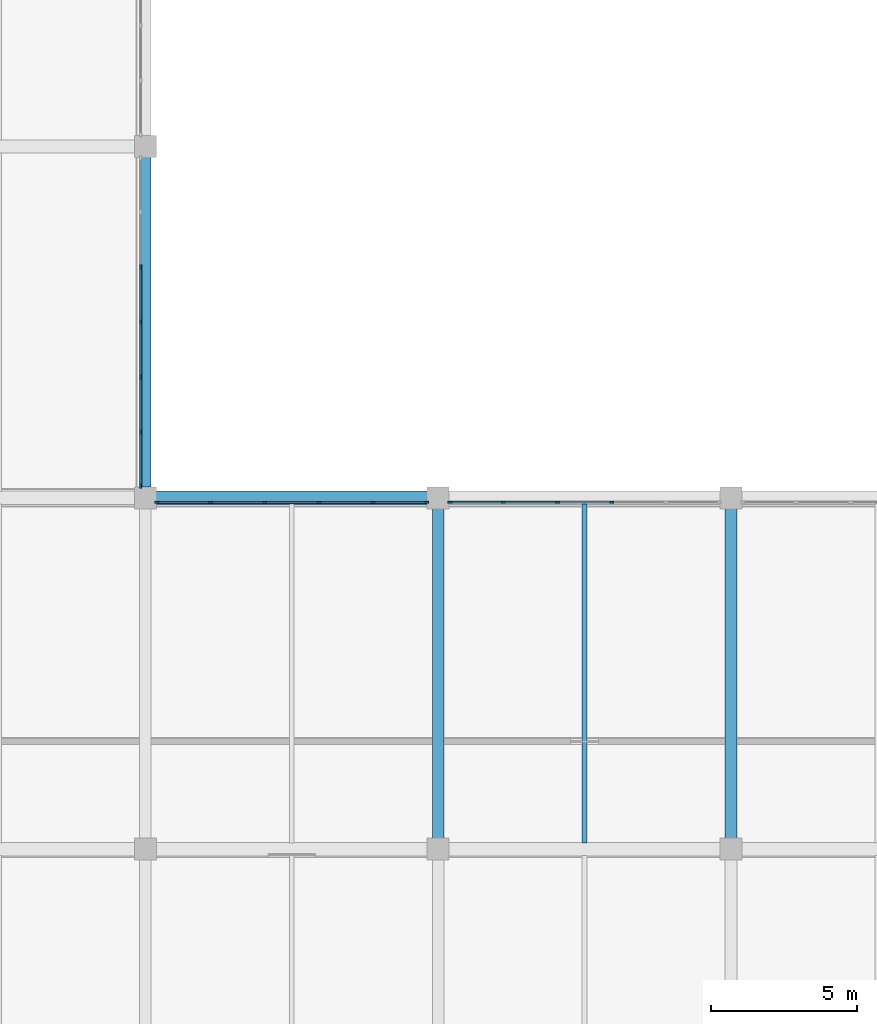
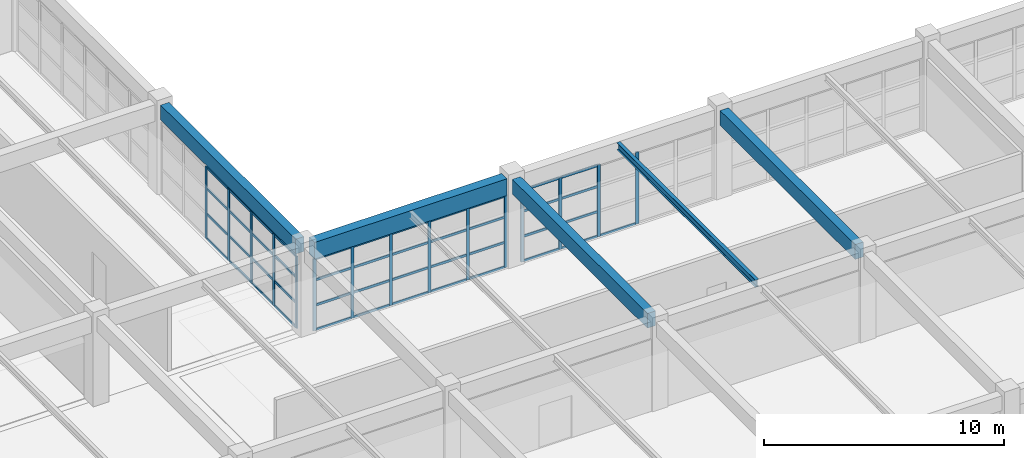
# One storey, part 50 of 109: 60 members, 5 beams, 3 elements without a shape of their own.
"""IFC4 building model written with IfcOpenShell, lengths in metres."""

from ifc_helpers import new_model, si_unit, direction, frame, origin, origin_2d, place, context, subcontext, project, spatial, rectangle, i_section, extrude, material, layer, layer_set, material_profile, profile_set, type_object, element, aggregate, save


model = new_model("IFC4")

# Units and contexts
model_context = context("Model", 3, precision=1e-05, world=origin(), true_north=direction((0.0, 1.0)))
body_context = subcontext(model_context, "Body", "Model", "MODEL_VIEW")
ifc_project = project(units=[si_unit("LENGTHUNIT", "METRE"), si_unit("AREAUNIT", "SQUARE_METRE"), si_unit("VOLUMEUNIT", "CUBIC_METRE"), si_unit("PLANEANGLEUNIT", "RADIAN"), si_unit("MASSUNIT", "GRAM", prefix="KILO")], contexts=[model_context])

# Site, building, storey
site_placement = place(None, origin())
site = spatial("IfcSite", under=ifc_project, at=site_placement, CompositionType="ELEMENT")
building_placement = place(site_placement, origin())
building = spatial("IfcBuilding", under=site, at=building_placement, Name="Kivolera Central Railway Station", CompositionType="ELEMENT")
storey_placement = place(building_placement, frame((0.0, 0.0, 9.60009765625)))
storey = spatial("IfcBuildingStorey", under=building, at=storey_placement, Name="L02", CompositionType="ELEMENT", Elevation=9.60009765625)

# Beams
ifc_material_1 = material(Name="Steel S355", Category="steel")
ifc_material_profile_1 = material_profile(ifc_material_1, i_section(OverallWidth=0.169921875, OverallDepth=0.360107421875, WebThickness=0.008056640625, FlangeThickness=0.0126953125, FilletRadius=0.01806640625, at=origin_2d()), Name="IPE 360")
ifc_profile_set_1 = profile_set([ifc_material_profile_1], Name="Steel S355")
beam_type_1 = type_object("IfcBeamType", Name="BM-JST-IPE360", PredefinedType="JOIST", material=ifc_profile_set_1)
beam_1_placement = place(storey_placement, frame((153.0, 66.217041015625, 4.327880859375), z_axis=(0.0, 1.0, 0.0), x_axis=(-1.0, 0.0, 0.0)))
element("IfcBeam", 1, at=beam_1_placement, inside=storey, type_object=beam_type_1, Name="L02 Floor Joist 15-16/F-G", PredefinedType="JOIST", context=body_context, shape_type="SweptSolid", body=[
    extrude(i_section(OverallWidth=0.169921875, OverallDepth=0.360107421875, WebThickness=0.008056640625, FlangeThickness=0.0126953125, FilletRadius=0.01806640625, at=origin_2d()), origin(), (0.0, 0.0, 1.0), 11.56591796875),
])
ifc_material_2 = material(Name="Concrete C40/50", Category="concrete")
ifc_material_profile_2 = material_profile(ifc_material_2, rectangle(XDim=0.39990234375, YDim=0.75, at=origin_2d()), Name="RC 400x750")
ifc_profile_set_2 = profile_set([ifc_material_profile_2], Name="Concrete C40/50")
beam_type_2 = type_object("IfcBeamType", Name="BM-RC-400x750", PredefinedType="BEAM", material=ifc_profile_set_2)
for number, where, z_axis, x_axis, name in (
    (2, (138.0, 78.366943359375, 4.14501953125), (0.0, 1.0, 0.0), (-1.0, 0.0, 0.0), "L02 Wing Y-Beam 14:G-H"),
    (3, (148.0, 66.366943359375, 4.14501953125), (0.0, 1.0, 0.0), (-1.0, 0.0, 0.0), "L02 Wing Y-Beam 15:F-G"),
    (4, (158.0, 66.366943359375, 4.14501953125), (0.0, 1.0, 0.0), (-1.0, 0.0, 0.0), "L02 Wing Y-Beam 16:F-G"),
):
    element("IfcBeam", number, at=place(storey_placement, frame(where, z_axis=z_axis, x_axis=x_axis)), inside=storey, type_object=beam_type_2, Name=name, PredefinedType="BEAM", context=body_context, shape_type="SweptSolid", body=[
        extrude(rectangle(XDim=0.39990234375, YDim=0.75, at=origin_2d()), origin(), (0.0, 0.0, 1.0), 11.26611328125),
    ])
ifc_material_profile_3 = material_profile(ifc_material_2, rectangle(XDim=0.449951171875, YDim=0.85009765625, at=origin_2d()), Name="RC 450x850")
ifc_profile_set_3 = profile_set([ifc_material_profile_3], Name="Concrete C40/50")
beam_type_3 = type_object("IfcBeamType", Name="BM-RC-450x850", PredefinedType="BEAM", material=ifc_profile_set_3)
beam_2_placement = place(storey_placement, frame((138.366943359375, 78.0, 4.094970703125), z_axis=(1.0, 0.0, 0.0), x_axis=(0.0, 1.0, 0.0)))
element("IfcBeam", 5, at=beam_2_placement, inside=storey, type_object=beam_type_3, Name="L02 Wing X-Beam G:14-15", PredefinedType="BEAM", context=body_context, shape_type="SweptSolid", body=[
    extrude(rectangle(XDim=0.449951171875, YDim=0.85009765625, at=origin_2d()), origin(), (0.0, 0.0, 1.0), 9.26611328125),
])

# Curtain wall, members
ifc_material_3 = material(Name="Anodised aluminium", Category="aluminium")
ifc_layer_1 = layer(ifc_material_3, 0.179931640625, Name="Anodised aluminium")
ifc_layer_set_1 = layer_set([ifc_layer_1], Name="Anodised aluminium")
curtain_wall_type_1 = type_object("IfcCurtainWallType", Name="CW-SYS-28", PredefinedType="NOTDEFINED", material=ifc_layer_set_1)
curtain_wall_1_placement = place(storey_placement, origin())
curtain_wall_1 = element("IfcCurtainWall", 6, at=curtain_wall_1_placement, inside=storey, type_object=curtain_wall_type_1, Name="L02 Curtain Wall CW-L02-CRTW-G", PredefinedType="NOTDEFINED")
ifc_material_profile_4 = material_profile(ifc_material_3, rectangle(XDim=0.06005859375, YDim=0.14990234375, at=origin_2d()), Name="ALU MULL 60x150")
ifc_profile_set_4 = profile_set([ifc_material_profile_4], Name="Anodised aluminium")
member_type_1 = type_object("IfcMemberType", Name="CWM-MUL-2", PredefinedType="MULLION", material=ifc_profile_set_4)
member_1_placement = place(storey_placement, frame((137.846923828125, 85.876708984375, -0.005126953125), z_axis=(0.0, 0.0, 1.0), x_axis=(1.0, 0.0, 0.0)))
member_1 = element("IfcMember", 7, at=member_1_placement, type_object=member_type_1, Name="CW-28 mullion 3", PredefinedType="MULLION", context=body_context, shape_type="SweptSolid", body=[
    extrude(rectangle(XDim=0.06005859375, YDim=0.14990234375, at=origin_2d()), origin(), (0.0, 0.0, 1.0), 3.6630859375),
])
member_2_placement = place(storey_placement, frame((137.846923828125, 84.0, -0.005126953125), z_axis=(0.0, 0.0, 1.0), x_axis=(1.0, 0.0, 0.0)))
member_2 = element("IfcMember", 8, at=member_2_placement, type_object=member_type_1, Name="CW-28 mullion 4", PredefinedType="MULLION", context=body_context, shape_type="SweptSolid", body=[
    extrude(rectangle(XDim=0.06005859375, YDim=0.14990234375, at=origin_2d()), origin(), (0.0, 0.0, 1.0), 3.6630859375),
])
member_3_placement = place(storey_placement, frame((137.846923828125, 82.123291015625, -0.005126953125), z_axis=(0.0, 0.0, 1.0), x_axis=(1.0, 0.0, 0.0)))
member_3 = element("IfcMember", 9, at=member_3_placement, type_object=member_type_1, Name="CW-28 mullion 5", PredefinedType="MULLION", context=body_context, shape_type="SweptSolid", body=[
    extrude(rectangle(XDim=0.06005859375, YDim=0.14990234375, at=origin_2d()), origin(), (0.0, 0.0, 1.0), 3.6630859375),
])
member_4_placement = place(storey_placement, frame((137.846923828125, 80.24658203125, -0.005126953125), z_axis=(0.0, 0.0, 1.0), x_axis=(1.0, 0.0, 0.0)))
member_4 = element("IfcMember", 10, at=member_4_placement, type_object=member_type_1, Name="CW-28 mullion 6", PredefinedType="MULLION", context=body_context, shape_type="SweptSolid", body=[
    extrude(rectangle(XDim=0.06005859375, YDim=0.14990234375, at=origin_2d()), origin(), (0.0, 0.0, 1.0), 3.6630859375),
])
member_5_placement = place(storey_placement, frame((137.846923828125, 78.39990234375, -0.005126953125), z_axis=(0.0, 0.0, 1.0), x_axis=(1.0, 0.0, 0.0)))
member_5 = element("IfcMember", 11, at=member_5_placement, type_object=member_type_1, Name="CW-28 mullion 7", PredefinedType="MULLION", context=body_context, shape_type="SweptSolid", body=[
    extrude(rectangle(XDim=0.06005859375, YDim=0.14990234375, at=origin_2d()), origin(), (0.0, 0.0, 1.0), 3.6630859375),
])

ifc_layer_2 = layer(ifc_material_3, 0.179931640625, Name="Anodised aluminium")
ifc_layer_set_2 = layer_set([ifc_layer_2], Name="Anodised aluminium")
curtain_wall_type_2 = type_object("IfcCurtainWallType", Name="CW-SYS-27", PredefinedType="NOTDEFINED", material=ifc_layer_set_2)
curtain_wall_2_placement = place(storey_placement, origin())
curtain_wall_2 = element("IfcCurtainWall", 12, at=curtain_wall_2_placement, inside=storey, type_object=curtain_wall_type_2, Name="L02 Curtain Wall CW-L02-CRTS-138", PredefinedType="NOTDEFINED")
member_6_placement = place(storey_placement, frame((138.39990234375, 77.846923828125, -0.005126953125), z_axis=(0.0, 0.0, 1.0), x_axis=(0.0, 1.0, 0.0)))
member_6 = element("IfcMember", 13, at=member_6_placement, type_object=member_type_1, Name="CW-27 mullion 1", PredefinedType="MULLION", context=body_context, shape_type="SweptSolid", body=[
    extrude(rectangle(XDim=0.06005859375, YDim=0.14990234375, at=origin_2d()), origin(), (0.0, 0.0, 1.0), 3.6630859375),
])
member_7_placement = place(storey_placement, frame((140.221923828125, 77.846923828125, -0.005126953125), z_axis=(0.0, 0.0, 1.0), x_axis=(0.0, 1.0, 0.0)))
member_7 = element("IfcMember", 14, at=member_7_placement, type_object=member_type_1, Name="CW-27 mullion 2", PredefinedType="MULLION", context=body_context, shape_type="SweptSolid", body=[
    extrude(rectangle(XDim=0.06005859375, YDim=0.14990234375, at=origin_2d()), origin(), (0.0, 0.0, 1.0), 3.6630859375),
])
member_8_placement = place(storey_placement, frame((142.073974609375, 77.846923828125, -0.005126953125), z_axis=(0.0, 0.0, 1.0), x_axis=(0.0, 1.0, 0.0)))
member_8 = element("IfcMember", 15, at=member_8_placement, type_object=member_type_1, Name="CW-27 mullion 3", PredefinedType="MULLION", context=body_context, shape_type="SweptSolid", body=[
    extrude(rectangle(XDim=0.06005859375, YDim=0.14990234375, at=origin_2d()), origin(), (0.0, 0.0, 1.0), 3.6630859375),
])
member_9_placement = place(storey_placement, frame((143.926025390625, 77.846923828125, -0.005126953125), z_axis=(0.0, 0.0, 1.0), x_axis=(0.0, 1.0, 0.0)))
member_9 = element("IfcMember", 16, at=member_9_placement, type_object=member_type_1, Name="CW-27 mullion 4", PredefinedType="MULLION", context=body_context, shape_type="SweptSolid", body=[
    extrude(rectangle(XDim=0.06005859375, YDim=0.14990234375, at=origin_2d()), origin(), (0.0, 0.0, 1.0), 3.6630859375),
])
member_10_placement = place(storey_placement, frame((145.778076171875, 77.846923828125, -0.005126953125), z_axis=(0.0, 0.0, 1.0), x_axis=(0.0, 1.0, 0.0)))
member_10 = element("IfcMember", 17, at=member_10_placement, type_object=member_type_1, Name="CW-27 mullion 5", PredefinedType="MULLION", context=body_context, shape_type="SweptSolid", body=[
    extrude(rectangle(XDim=0.06005859375, YDim=0.14990234375, at=origin_2d()), origin(), (0.0, 0.0, 1.0), 3.6630859375),
])
member_11_placement = place(storey_placement, frame((147.60009765625, 77.846923828125, -0.005126953125), z_axis=(0.0, 0.0, 1.0), x_axis=(0.0, 1.0, 0.0)))
member_11 = element("IfcMember", 18, at=member_11_placement, type_object=member_type_1, Name="CW-27 mullion 6", PredefinedType="MULLION", context=body_context, shape_type="SweptSolid", body=[
    extrude(rectangle(XDim=0.06005859375, YDim=0.14990234375, at=origin_2d()), origin(), (0.0, 0.0, 1.0), 3.6630859375),
])

curtain_wall_3_placement = place(storey_placement, origin())
curtain_wall_3 = element("IfcCurtainWall", 19, at=curtain_wall_3_placement, inside=storey, type_object=curtain_wall_type_2, Name="L02 Curtain Wall CW-L02-CRTS-148", PredefinedType="NOTDEFINED")
member_12_placement = place(storey_placement, frame((148.39990234375, 77.846923828125, -0.005126953125), z_axis=(0.0, 0.0, 1.0), x_axis=(0.0, 1.0, 0.0)))
member_12 = element("IfcMember", 20, at=member_12_placement, type_object=member_type_1, Name="CW-27 mullion 1", PredefinedType="MULLION", context=body_context, shape_type="SweptSolid", body=[
    extrude(rectangle(XDim=0.06005859375, YDim=0.14990234375, at=origin_2d()), origin(), (0.0, 0.0, 1.0), 3.6630859375),
])
member_13_placement = place(storey_placement, frame((150.221923828125, 77.846923828125, -0.005126953125), z_axis=(0.0, 0.0, 1.0), x_axis=(0.0, 1.0, 0.0)))
member_13 = element("IfcMember", 21, at=member_13_placement, type_object=member_type_1, Name="CW-27 mullion 2", PredefinedType="MULLION", context=body_context, shape_type="SweptSolid", body=[
    extrude(rectangle(XDim=0.06005859375, YDim=0.14990234375, at=origin_2d()), origin(), (0.0, 0.0, 1.0), 3.6630859375),
])
member_14_placement = place(storey_placement, frame((152.073974609375, 77.846923828125, -0.005126953125), z_axis=(0.0, 0.0, 1.0), x_axis=(0.0, 1.0, 0.0)))
member_14 = element("IfcMember", 22, at=member_14_placement, type_object=member_type_1, Name="CW-27 mullion 3", PredefinedType="MULLION", context=body_context, shape_type="SweptSolid", body=[
    extrude(rectangle(XDim=0.06005859375, YDim=0.14990234375, at=origin_2d()), origin(), (0.0, 0.0, 1.0), 3.6630859375),
])
member_15_placement = place(storey_placement, frame((153.926025390625, 77.846923828125, -0.005126953125), z_axis=(0.0, 0.0, 1.0), x_axis=(0.0, 1.0, 0.0)))
member_15 = element("IfcMember", 23, at=member_15_placement, type_object=member_type_1, Name="CW-27 mullion 4", PredefinedType="MULLION", context=body_context, shape_type="SweptSolid", body=[
    extrude(rectangle(XDim=0.06005859375, YDim=0.14990234375, at=origin_2d()), origin(), (0.0, 0.0, 1.0), 3.6630859375),
])

# Member
ifc_material_profile_5 = material_profile(ifc_material_3, rectangle(XDim=0.06005859375, YDim=0.1201171875, at=origin_2d()), Name="ALU TRAN 60x120")
ifc_profile_set_5 = profile_set([ifc_material_profile_5], Name="Anodised aluminium")
member_type_2 = type_object("IfcMemberType", Name="CWM-TRN-2", PredefinedType="USERDEFINED", material=ifc_profile_set_5)
member_16_placement = place(storey_placement, frame((137.846923828125, 85.8466796875, 0.02978515625), z_axis=(0.0, -1.0, 0.0), x_axis=(1.0, 0.0, 0.0)))
member_16 = element("IfcMember", 24, at=member_16_placement, type_object=member_type_2, Name="CW-28 transom 3.1", ObjectType="TRANSOM", PredefinedType="USERDEFINED", context=body_context, shape_type="SweptSolid", body=[
    extrude(rectangle(XDim=0.06005859375, YDim=0.1201171875, at=origin_2d()), origin(), (0.0, 0.0, 1.0), 1.816650390625),
])

member_17_placement = place(storey_placement, frame((137.846923828125, 85.8466796875, 1.2802734375), z_axis=(0.0, -1.0, 0.0), x_axis=(1.0, 0.0, 0.0)))
member_17 = element("IfcMember", 25, at=member_17_placement, type_object=member_type_2, Name="CW-28 transom 3.2", ObjectType="TRANSOM", PredefinedType="USERDEFINED", context=body_context, shape_type="SweptSolid", body=[
    extrude(rectangle(XDim=0.06005859375, YDim=0.1201171875, at=origin_2d()), origin(), (0.0, 0.0, 1.0), 1.816650390625),
])

member_18_placement = place(storey_placement, frame((137.846923828125, 85.8466796875, 2.560546875), z_axis=(0.0, -1.0, 0.0), x_axis=(1.0, 0.0, 0.0)))
member_18 = element("IfcMember", 26, at=member_18_placement, type_object=member_type_2, Name="CW-28 transom 3.3", ObjectType="TRANSOM", PredefinedType="USERDEFINED", context=body_context, shape_type="SweptSolid", body=[
    extrude(rectangle(XDim=0.06005859375, YDim=0.1201171875, at=origin_2d()), origin(), (0.0, 0.0, 1.0), 1.816650390625),
])

member_19_placement = place(storey_placement, frame((137.846923828125, 85.8466796875, 3.6279296875), z_axis=(0.0, -1.0, 0.0), x_axis=(1.0, 0.0, 0.0)))
member_19 = element("IfcMember", 27, at=member_19_placement, type_object=member_type_2, Name="CW-28 transom 3.4", ObjectType="TRANSOM", PredefinedType="USERDEFINED", context=body_context, shape_type="SweptSolid", body=[
    extrude(rectangle(XDim=0.06005859375, YDim=0.1201171875, at=origin_2d()), origin(), (0.0, 0.0, 1.0), 1.816650390625),
])

member_20_placement = place(storey_placement, frame((137.846923828125, 83.969970703125, 0.02978515625), z_axis=(0.0, -1.0, 0.0), x_axis=(1.0, 0.0, 0.0)))
member_20 = element("IfcMember", 28, at=member_20_placement, type_object=member_type_2, Name="CW-28 transom 4.1", ObjectType="TRANSOM", PredefinedType="USERDEFINED", context=body_context, shape_type="SweptSolid", body=[
    extrude(rectangle(XDim=0.06005859375, YDim=0.1201171875, at=origin_2d()), origin(), (0.0, 0.0, 1.0), 1.816650390625),
])

member_21_placement = place(storey_placement, frame((137.846923828125, 83.969970703125, 1.2802734375), z_axis=(0.0, -1.0, 0.0), x_axis=(1.0, 0.0, 0.0)))
member_21 = element("IfcMember", 29, at=member_21_placement, type_object=member_type_2, Name="CW-28 transom 4.2", ObjectType="TRANSOM", PredefinedType="USERDEFINED", context=body_context, shape_type="SweptSolid", body=[
    extrude(rectangle(XDim=0.06005859375, YDim=0.1201171875, at=origin_2d()), origin(), (0.0, 0.0, 1.0), 1.816650390625),
])

member_22_placement = place(storey_placement, frame((137.846923828125, 83.969970703125, 2.560546875), z_axis=(0.0, -1.0, 0.0), x_axis=(1.0, 0.0, 0.0)))
member_22 = element("IfcMember", 30, at=member_22_placement, type_object=member_type_2, Name="CW-28 transom 4.3", ObjectType="TRANSOM", PredefinedType="USERDEFINED", context=body_context, shape_type="SweptSolid", body=[
    extrude(rectangle(XDim=0.06005859375, YDim=0.1201171875, at=origin_2d()), origin(), (0.0, 0.0, 1.0), 1.816650390625),
])

member_23_placement = place(storey_placement, frame((137.846923828125, 83.969970703125, 3.6279296875), z_axis=(0.0, -1.0, 0.0), x_axis=(1.0, 0.0, 0.0)))
member_23 = element("IfcMember", 31, at=member_23_placement, type_object=member_type_2, Name="CW-28 transom 4.4", ObjectType="TRANSOM", PredefinedType="USERDEFINED", context=body_context, shape_type="SweptSolid", body=[
    extrude(rectangle(XDim=0.06005859375, YDim=0.1201171875, at=origin_2d()), origin(), (0.0, 0.0, 1.0), 1.816650390625),
])

member_24_placement = place(storey_placement, frame((137.846923828125, 82.09326171875, 0.02978515625), z_axis=(0.0, -1.0, 0.0), x_axis=(1.0, 0.0, 0.0)))
member_24 = element("IfcMember", 32, at=member_24_placement, type_object=member_type_2, Name="CW-28 transom 5.1", ObjectType="TRANSOM", PredefinedType="USERDEFINED", context=body_context, shape_type="SweptSolid", body=[
    extrude(rectangle(XDim=0.06005859375, YDim=0.1201171875, at=origin_2d()), origin(), (0.0, 0.0, 1.0), 1.816650390625),
])

member_25_placement = place(storey_placement, frame((137.846923828125, 82.09326171875, 1.2802734375), z_axis=(0.0, -1.0, 0.0), x_axis=(1.0, 0.0, 0.0)))
member_25 = element("IfcMember", 33, at=member_25_placement, type_object=member_type_2, Name="CW-28 transom 5.2", ObjectType="TRANSOM", PredefinedType="USERDEFINED", context=body_context, shape_type="SweptSolid", body=[
    extrude(rectangle(XDim=0.06005859375, YDim=0.1201171875, at=origin_2d()), origin(), (0.0, 0.0, 1.0), 1.816650390625),
])

member_26_placement = place(storey_placement, frame((137.846923828125, 82.09326171875, 2.560546875), z_axis=(0.0, -1.0, 0.0), x_axis=(1.0, 0.0, 0.0)))
member_26 = element("IfcMember", 34, at=member_26_placement, type_object=member_type_2, Name="CW-28 transom 5.3", ObjectType="TRANSOM", PredefinedType="USERDEFINED", context=body_context, shape_type="SweptSolid", body=[
    extrude(rectangle(XDim=0.06005859375, YDim=0.1201171875, at=origin_2d()), origin(), (0.0, 0.0, 1.0), 1.816650390625),
])

member_27_placement = place(storey_placement, frame((137.846923828125, 82.09326171875, 3.6279296875), z_axis=(0.0, -1.0, 0.0), x_axis=(1.0, 0.0, 0.0)))
member_27 = element("IfcMember", 35, at=member_27_placement, type_object=member_type_2, Name="CW-28 transom 5.4", ObjectType="TRANSOM", PredefinedType="USERDEFINED", context=body_context, shape_type="SweptSolid", body=[
    extrude(rectangle(XDim=0.06005859375, YDim=0.1201171875, at=origin_2d()), origin(), (0.0, 0.0, 1.0), 1.816650390625),
])

member_28_placement = place(storey_placement, frame((137.846923828125, 80.216552734375, 0.02978515625), z_axis=(0.0, -1.0, 0.0), x_axis=(1.0, 0.0, 0.0)))
member_28 = element("IfcMember", 36, at=member_28_placement, type_object=member_type_2, Name="CW-28 transom 6.1", ObjectType="TRANSOM", PredefinedType="USERDEFINED", context=body_context, shape_type="SweptSolid", body=[
    extrude(rectangle(XDim=0.06005859375, YDim=0.1201171875, at=origin_2d()), origin(), (0.0, 0.0, 1.0), 1.78662109375),
])

member_29_placement = place(storey_placement, frame((137.846923828125, 80.216552734375, 1.2802734375), z_axis=(0.0, -1.0, 0.0), x_axis=(1.0, 0.0, 0.0)))
member_29 = element("IfcMember", 37, at=member_29_placement, type_object=member_type_2, Name="CW-28 transom 6.2", ObjectType="TRANSOM", PredefinedType="USERDEFINED", context=body_context, shape_type="SweptSolid", body=[
    extrude(rectangle(XDim=0.06005859375, YDim=0.1201171875, at=origin_2d()), origin(), (0.0, 0.0, 1.0), 1.78662109375),
])

member_30_placement = place(storey_placement, frame((137.846923828125, 80.216552734375, 2.560546875), z_axis=(0.0, -1.0, 0.0), x_axis=(1.0, 0.0, 0.0)))
member_30 = element("IfcMember", 38, at=member_30_placement, type_object=member_type_2, Name="CW-28 transom 6.3", ObjectType="TRANSOM", PredefinedType="USERDEFINED", context=body_context, shape_type="SweptSolid", body=[
    extrude(rectangle(XDim=0.06005859375, YDim=0.1201171875, at=origin_2d()), origin(), (0.0, 0.0, 1.0), 1.78662109375),
])

member_31_placement = place(storey_placement, frame((137.846923828125, 80.216552734375, 3.6279296875), z_axis=(0.0, -1.0, 0.0), x_axis=(1.0, 0.0, 0.0)))
member_31 = element("IfcMember", 39, at=member_31_placement, type_object=member_type_2, Name="CW-28 transom 6.4", ObjectType="TRANSOM", PredefinedType="USERDEFINED", context=body_context, shape_type="SweptSolid", body=[
    extrude(rectangle(XDim=0.06005859375, YDim=0.1201171875, at=origin_2d()), origin(), (0.0, 0.0, 1.0), 1.78662109375),
])

aggregate(curtain_wall_1, [member_1, member_2, member_3, member_4, member_5, member_16, member_17, member_18, member_19, member_20, member_21, member_22, member_23, member_24, member_25, member_26, member_27, member_28, member_29, member_30, member_31])

member_32_placement = place(storey_placement, frame((138.429931640625, 77.846923828125, 0.02978515625), z_axis=(1.0, 0.0, 0.0), x_axis=(0.0, 1.0, 0.0)))
member_32 = element("IfcMember", 40, at=member_32_placement, type_object=member_type_2, Name="CW-27 transom 1.1", ObjectType="TRANSOM", PredefinedType="USERDEFINED", context=body_context, shape_type="SweptSolid", body=[
    extrude(rectangle(XDim=0.06005859375, YDim=0.1201171875, at=origin_2d()), origin(), (0.0, 0.0, 1.0), 1.761962890625),
])

member_33_placement = place(storey_placement, frame((138.429931640625, 77.846923828125, 1.2802734375), z_axis=(1.0, 0.0, 0.0), x_axis=(0.0, 1.0, 0.0)))
member_33 = element("IfcMember", 41, at=member_33_placement, type_object=member_type_2, Name="CW-27 transom 1.2", ObjectType="TRANSOM", PredefinedType="USERDEFINED", context=body_context, shape_type="SweptSolid", body=[
    extrude(rectangle(XDim=0.06005859375, YDim=0.1201171875, at=origin_2d()), origin(), (0.0, 0.0, 1.0), 1.761962890625),
])

member_34_placement = place(storey_placement, frame((138.429931640625, 77.846923828125, 2.560546875), z_axis=(1.0, 0.0, 0.0), x_axis=(0.0, 1.0, 0.0)))
member_34 = element("IfcMember", 42, at=member_34_placement, type_object=member_type_2, Name="CW-27 transom 1.3", ObjectType="TRANSOM", PredefinedType="USERDEFINED", context=body_context, shape_type="SweptSolid", body=[
    extrude(rectangle(XDim=0.06005859375, YDim=0.1201171875, at=origin_2d()), origin(), (0.0, 0.0, 1.0), 1.761962890625),
])

member_35_placement = place(storey_placement, frame((138.429931640625, 77.846923828125, 3.6279296875), z_axis=(1.0, 0.0, 0.0), x_axis=(0.0, 1.0, 0.0)))
member_35 = element("IfcMember", 43, at=member_35_placement, type_object=member_type_2, Name="CW-27 transom 1.4", ObjectType="TRANSOM", PredefinedType="USERDEFINED", context=body_context, shape_type="SweptSolid", body=[
    extrude(rectangle(XDim=0.06005859375, YDim=0.1201171875, at=origin_2d()), origin(), (0.0, 0.0, 1.0), 1.761962890625),
])

member_36_placement = place(storey_placement, frame((140.251953125, 77.846923828125, 0.02978515625), z_axis=(1.0, 0.0, 0.0), x_axis=(0.0, 1.0, 0.0)))
member_36 = element("IfcMember", 44, at=member_36_placement, type_object=member_type_2, Name="CW-27 transom 2.1", ObjectType="TRANSOM", PredefinedType="USERDEFINED", context=body_context, shape_type="SweptSolid", body=[
    extrude(rectangle(XDim=0.06005859375, YDim=0.1201171875, at=origin_2d()), origin(), (0.0, 0.0, 1.0), 1.7919921875),
])

member_37_placement = place(storey_placement, frame((140.251953125, 77.846923828125, 1.2802734375), z_axis=(1.0, 0.0, 0.0), x_axis=(0.0, 1.0, 0.0)))
member_37 = element("IfcMember", 45, at=member_37_placement, type_object=member_type_2, Name="CW-27 transom 2.2", ObjectType="TRANSOM", PredefinedType="USERDEFINED", context=body_context, shape_type="SweptSolid", body=[
    extrude(rectangle(XDim=0.06005859375, YDim=0.1201171875, at=origin_2d()), origin(), (0.0, 0.0, 1.0), 1.7919921875),
])

member_38_placement = place(storey_placement, frame((140.251953125, 77.846923828125, 2.560546875), z_axis=(1.0, 0.0, 0.0), x_axis=(0.0, 1.0, 0.0)))
member_38 = element("IfcMember", 46, at=member_38_placement, type_object=member_type_2, Name="CW-27 transom 2.3", ObjectType="TRANSOM", PredefinedType="USERDEFINED", context=body_context, shape_type="SweptSolid", body=[
    extrude(rectangle(XDim=0.06005859375, YDim=0.1201171875, at=origin_2d()), origin(), (0.0, 0.0, 1.0), 1.7919921875),
])

member_39_placement = place(storey_placement, frame((140.251953125, 77.846923828125, 3.6279296875), z_axis=(1.0, 0.0, 0.0), x_axis=(0.0, 1.0, 0.0)))
member_39 = element("IfcMember", 47, at=member_39_placement, type_object=member_type_2, Name="CW-27 transom 2.4", ObjectType="TRANSOM", PredefinedType="USERDEFINED", context=body_context, shape_type="SweptSolid", body=[
    extrude(rectangle(XDim=0.06005859375, YDim=0.1201171875, at=origin_2d()), origin(), (0.0, 0.0, 1.0), 1.7919921875),
])

member_40_placement = place(storey_placement, frame((142.10400390625, 77.846923828125, 0.02978515625), z_axis=(1.0, 0.0, 0.0), x_axis=(0.0, 1.0, 0.0)))
member_40 = element("IfcMember", 48, at=member_40_placement, type_object=member_type_2, Name="CW-27 transom 3.1", ObjectType="TRANSOM", PredefinedType="USERDEFINED", context=body_context, shape_type="SweptSolid", body=[
    extrude(rectangle(XDim=0.06005859375, YDim=0.1201171875, at=origin_2d()), origin(), (0.0, 0.0, 1.0), 1.7919921875),
])

member_41_placement = place(storey_placement, frame((142.10400390625, 77.846923828125, 1.2802734375), z_axis=(1.0, 0.0, 0.0), x_axis=(0.0, 1.0, 0.0)))
member_41 = element("IfcMember", 49, at=member_41_placement, type_object=member_type_2, Name="CW-27 transom 3.2", ObjectType="TRANSOM", PredefinedType="USERDEFINED", context=body_context, shape_type="SweptSolid", body=[
    extrude(rectangle(XDim=0.06005859375, YDim=0.1201171875, at=origin_2d()), origin(), (0.0, 0.0, 1.0), 1.7919921875),
])

member_42_placement = place(storey_placement, frame((142.10400390625, 77.846923828125, 2.560546875), z_axis=(1.0, 0.0, 0.0), x_axis=(0.0, 1.0, 0.0)))
member_42 = element("IfcMember", 50, at=member_42_placement, type_object=member_type_2, Name="CW-27 transom 3.3", ObjectType="TRANSOM", PredefinedType="USERDEFINED", context=body_context, shape_type="SweptSolid", body=[
    extrude(rectangle(XDim=0.06005859375, YDim=0.1201171875, at=origin_2d()), origin(), (0.0, 0.0, 1.0), 1.7919921875),
])

member_43_placement = place(storey_placement, frame((142.10400390625, 77.846923828125, 3.6279296875), z_axis=(1.0, 0.0, 0.0), x_axis=(0.0, 1.0, 0.0)))
member_43 = element("IfcMember", 51, at=member_43_placement, type_object=member_type_2, Name="CW-27 transom 3.4", ObjectType="TRANSOM", PredefinedType="USERDEFINED", context=body_context, shape_type="SweptSolid", body=[
    extrude(rectangle(XDim=0.06005859375, YDim=0.1201171875, at=origin_2d()), origin(), (0.0, 0.0, 1.0), 1.7919921875),
])

member_44_placement = place(storey_placement, frame((143.9560546875, 77.846923828125, 0.02978515625), z_axis=(1.0, 0.0, 0.0), x_axis=(0.0, 1.0, 0.0)))
member_44 = element("IfcMember", 52, at=member_44_placement, type_object=member_type_2, Name="CW-27 transom 4.1", ObjectType="TRANSOM", PredefinedType="USERDEFINED", context=body_context, shape_type="SweptSolid", body=[
    extrude(rectangle(XDim=0.06005859375, YDim=0.1201171875, at=origin_2d()), origin(), (0.0, 0.0, 1.0), 1.7919921875),
])

member_45_placement = place(storey_placement, frame((143.9560546875, 77.846923828125, 1.2802734375), z_axis=(1.0, 0.0, 0.0), x_axis=(0.0, 1.0, 0.0)))
member_45 = element("IfcMember", 53, at=member_45_placement, type_object=member_type_2, Name="CW-27 transom 4.2", ObjectType="TRANSOM", PredefinedType="USERDEFINED", context=body_context, shape_type="SweptSolid", body=[
    extrude(rectangle(XDim=0.06005859375, YDim=0.1201171875, at=origin_2d()), origin(), (0.0, 0.0, 1.0), 1.7919921875),
])

member_46_placement = place(storey_placement, frame((143.9560546875, 77.846923828125, 2.560546875), z_axis=(1.0, 0.0, 0.0), x_axis=(0.0, 1.0, 0.0)))
member_46 = element("IfcMember", 54, at=member_46_placement, type_object=member_type_2, Name="CW-27 transom 4.3", ObjectType="TRANSOM", PredefinedType="USERDEFINED", context=body_context, shape_type="SweptSolid", body=[
    extrude(rectangle(XDim=0.06005859375, YDim=0.1201171875, at=origin_2d()), origin(), (0.0, 0.0, 1.0), 1.7919921875),
])

member_47_placement = place(storey_placement, frame((143.9560546875, 77.846923828125, 3.6279296875), z_axis=(1.0, 0.0, 0.0), x_axis=(0.0, 1.0, 0.0)))
member_47 = element("IfcMember", 55, at=member_47_placement, type_object=member_type_2, Name="CW-27 transom 4.4", ObjectType="TRANSOM", PredefinedType="USERDEFINED", context=body_context, shape_type="SweptSolid", body=[
    extrude(rectangle(XDim=0.06005859375, YDim=0.1201171875, at=origin_2d()), origin(), (0.0, 0.0, 1.0), 1.7919921875),
])

member_48_placement = place(storey_placement, frame((145.80810546875, 77.846923828125, 0.02978515625), z_axis=(1.0, 0.0, 0.0), x_axis=(0.0, 1.0, 0.0)))
member_48 = element("IfcMember", 56, at=member_48_placement, type_object=member_type_2, Name="CW-27 transom 5.1", ObjectType="TRANSOM", PredefinedType="USERDEFINED", context=body_context, shape_type="SweptSolid", body=[
    extrude(rectangle(XDim=0.06005859375, YDim=0.1201171875, at=origin_2d()), origin(), (0.0, 0.0, 1.0), 1.761962890625),
])

member_49_placement = place(storey_placement, frame((145.80810546875, 77.846923828125, 1.2802734375), z_axis=(1.0, 0.0, 0.0), x_axis=(0.0, 1.0, 0.0)))
member_49 = element("IfcMember", 57, at=member_49_placement, type_object=member_type_2, Name="CW-27 transom 5.2", ObjectType="TRANSOM", PredefinedType="USERDEFINED", context=body_context, shape_type="SweptSolid", body=[
    extrude(rectangle(XDim=0.06005859375, YDim=0.1201171875, at=origin_2d()), origin(), (0.0, 0.0, 1.0), 1.761962890625),
])

member_50_placement = place(storey_placement, frame((145.80810546875, 77.846923828125, 2.560546875), z_axis=(1.0, 0.0, 0.0), x_axis=(0.0, 1.0, 0.0)))
member_50 = element("IfcMember", 58, at=member_50_placement, type_object=member_type_2, Name="CW-27 transom 5.3", ObjectType="TRANSOM", PredefinedType="USERDEFINED", context=body_context, shape_type="SweptSolid", body=[
    extrude(rectangle(XDim=0.06005859375, YDim=0.1201171875, at=origin_2d()), origin(), (0.0, 0.0, 1.0), 1.761962890625),
])

member_51_placement = place(storey_placement, frame((145.80810546875, 77.846923828125, 3.6279296875), z_axis=(1.0, 0.0, 0.0), x_axis=(0.0, 1.0, 0.0)))
member_51 = element("IfcMember", 59, at=member_51_placement, type_object=member_type_2, Name="CW-27 transom 5.4", ObjectType="TRANSOM", PredefinedType="USERDEFINED", context=body_context, shape_type="SweptSolid", body=[
    extrude(rectangle(XDim=0.06005859375, YDim=0.1201171875, at=origin_2d()), origin(), (0.0, 0.0, 1.0), 1.761962890625),
])

aggregate(curtain_wall_2, [member_6, member_7, member_8, member_9, member_10, member_11, member_32, member_33, member_34, member_35, member_36, member_37, member_38, member_39, member_40, member_41, member_42, member_43, member_44, member_45, member_46, member_47, member_48, member_49, member_50, member_51])

member_52_placement = place(storey_placement, frame((148.429931640625, 77.846923828125, 0.02978515625), z_axis=(1.0, 0.0, 0.0), x_axis=(0.0, 1.0, 0.0)))
member_52 = element("IfcMember", 60, at=member_52_placement, type_object=member_type_2, Name="CW-27 transom 1.1", ObjectType="TRANSOM", PredefinedType="USERDEFINED", context=body_context, shape_type="SweptSolid", body=[
    extrude(rectangle(XDim=0.06005859375, YDim=0.1201171875, at=origin_2d()), origin(), (0.0, 0.0, 1.0), 1.761962890625),
])

member_53_placement = place(storey_placement, frame((148.429931640625, 77.846923828125, 1.2802734375), z_axis=(1.0, 0.0, 0.0), x_axis=(0.0, 1.0, 0.0)))
member_53 = element("IfcMember", 61, at=member_53_placement, type_object=member_type_2, Name="CW-27 transom 1.2", ObjectType="TRANSOM", PredefinedType="USERDEFINED", context=body_context, shape_type="SweptSolid", body=[
    extrude(rectangle(XDim=0.06005859375, YDim=0.1201171875, at=origin_2d()), origin(), (0.0, 0.0, 1.0), 1.761962890625),
])

member_54_placement = place(storey_placement, frame((148.429931640625, 77.846923828125, 2.560546875), z_axis=(1.0, 0.0, 0.0), x_axis=(0.0, 1.0, 0.0)))
member_54 = element("IfcMember", 62, at=member_54_placement, type_object=member_type_2, Name="CW-27 transom 1.3", ObjectType="TRANSOM", PredefinedType="USERDEFINED", context=body_context, shape_type="SweptSolid", body=[
    extrude(rectangle(XDim=0.06005859375, YDim=0.1201171875, at=origin_2d()), origin(), (0.0, 0.0, 1.0), 1.761962890625),
])

member_55_placement = place(storey_placement, frame((148.429931640625, 77.846923828125, 3.6279296875), z_axis=(1.0, 0.0, 0.0), x_axis=(0.0, 1.0, 0.0)))
member_55 = element("IfcMember", 63, at=member_55_placement, type_object=member_type_2, Name="CW-27 transom 1.4", ObjectType="TRANSOM", PredefinedType="USERDEFINED", context=body_context, shape_type="SweptSolid", body=[
    extrude(rectangle(XDim=0.06005859375, YDim=0.1201171875, at=origin_2d()), origin(), (0.0, 0.0, 1.0), 1.761962890625),
])

member_56_placement = place(storey_placement, frame((150.251953125, 77.846923828125, 0.02978515625), z_axis=(1.0, 0.0, 0.0), x_axis=(0.0, 1.0, 0.0)))
member_56 = element("IfcMember", 64, at=member_56_placement, type_object=member_type_2, Name="CW-27 transom 2.1", ObjectType="TRANSOM", PredefinedType="USERDEFINED", context=body_context, shape_type="SweptSolid", body=[
    extrude(rectangle(XDim=0.06005859375, YDim=0.1201171875, at=origin_2d()), origin(), (0.0, 0.0, 1.0), 1.7919921875),
])

member_57_placement = place(storey_placement, frame((150.251953125, 77.846923828125, 1.2802734375), z_axis=(1.0, 0.0, 0.0), x_axis=(0.0, 1.0, 0.0)))
member_57 = element("IfcMember", 65, at=member_57_placement, type_object=member_type_2, Name="CW-27 transom 2.2", ObjectType="TRANSOM", PredefinedType="USERDEFINED", context=body_context, shape_type="SweptSolid", body=[
    extrude(rectangle(XDim=0.06005859375, YDim=0.1201171875, at=origin_2d()), origin(), (0.0, 0.0, 1.0), 1.7919921875),
])

member_58_placement = place(storey_placement, frame((150.251953125, 77.846923828125, 2.560546875), z_axis=(1.0, 0.0, 0.0), x_axis=(0.0, 1.0, 0.0)))
member_58 = element("IfcMember", 66, at=member_58_placement, type_object=member_type_2, Name="CW-27 transom 2.3", ObjectType="TRANSOM", PredefinedType="USERDEFINED", context=body_context, shape_type="SweptSolid", body=[
    extrude(rectangle(XDim=0.06005859375, YDim=0.1201171875, at=origin_2d()), origin(), (0.0, 0.0, 1.0), 1.7919921875),
])

member_59_placement = place(storey_placement, frame((150.251953125, 77.846923828125, 3.6279296875), z_axis=(1.0, 0.0, 0.0), x_axis=(0.0, 1.0, 0.0)))
member_59 = element("IfcMember", 67, at=member_59_placement, type_object=member_type_2, Name="CW-27 transom 2.4", ObjectType="TRANSOM", PredefinedType="USERDEFINED", context=body_context, shape_type="SweptSolid", body=[
    extrude(rectangle(XDim=0.06005859375, YDim=0.1201171875, at=origin_2d()), origin(), (0.0, 0.0, 1.0), 1.7919921875),
])

member_60_placement = place(storey_placement, frame((152.10400390625, 77.846923828125, 0.02978515625), z_axis=(1.0, 0.0, 0.0), x_axis=(0.0, 1.0, 0.0)))
member_60 = element("IfcMember", 68, at=member_60_placement, type_object=member_type_2, Name="CW-27 transom 3.1", ObjectType="TRANSOM", PredefinedType="USERDEFINED", context=body_context, shape_type="SweptSolid", body=[
    extrude(rectangle(XDim=0.06005859375, YDim=0.1201171875, at=origin_2d()), origin(), (0.0, 0.0, 1.0), 1.7919921875),
])

aggregate(curtain_wall_3, [member_12, member_13, member_14, member_15, member_52, member_53, member_54, member_55, member_56, member_57, member_58, member_59, member_60])

save(model, "model.ifc")
